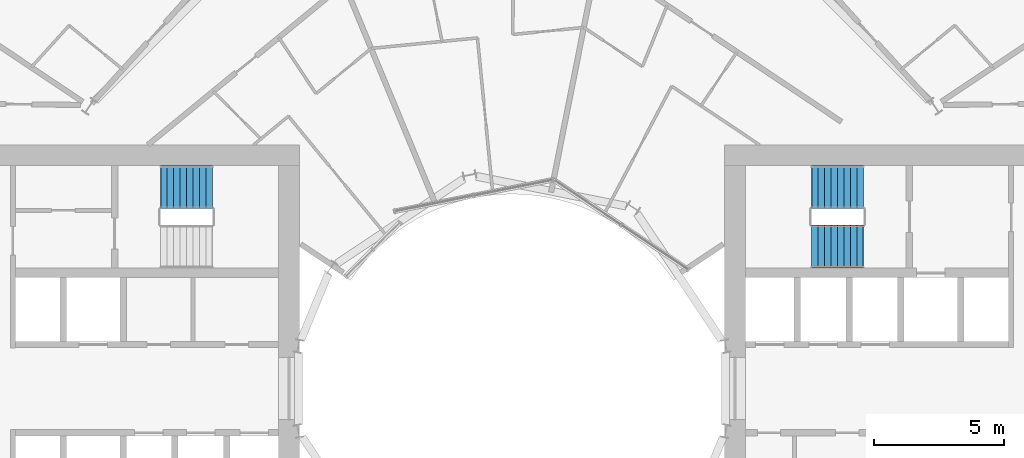
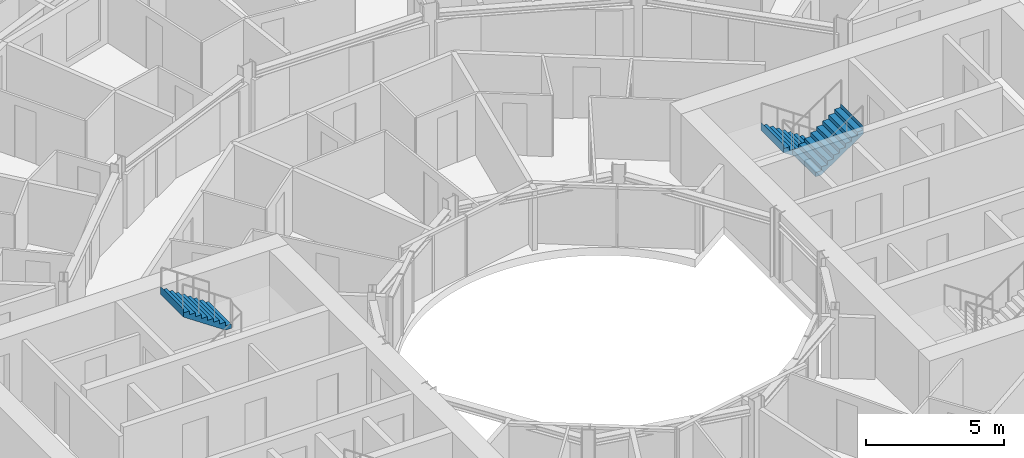
# One storey, part 25 of 26: 3 stair flights, 2 elements without a shape of their own.
"""IFC4 building model written with IfcOpenShell, lengths in metres."""

from ifc_helpers import new_model, si_unit, direction, frame, origin, place, context, subcontext, project, spatial, triangles, material, type_object, element, aggregate, save


model = new_model("IFC4")

# Units and contexts
model_context = context("Model", 3, precision=1e-05, world=origin(), true_north=direction((0.0, 1.0)))
body_context = subcontext(model_context, "Body", "Model", "MODEL_VIEW")
ifc_project = project(units=[si_unit("LENGTHUNIT", "METRE"), si_unit("AREAUNIT", "SQUARE_METRE"), si_unit("VOLUMEUNIT", "CUBIC_METRE"), si_unit("PLANEANGLEUNIT", "RADIAN"), si_unit("MASSUNIT", "GRAM", prefix="KILO")], contexts=[model_context])

# Site, building, storey
site_placement = place(None, origin())
site = spatial("IfcSite", under=ifc_project, at=site_placement, CompositionType="ELEMENT")
building_placement = place(site_placement, origin())
building = spatial("IfcBuilding", under=site, at=building_placement, Name="Maasbend Ring Residences", CompositionType="ELEMENT")
storey_placement = place(building_placement, frame((0.0, 0.0, 25.85009765625)))
storey = spatial("IfcBuildingStorey", under=building, at=storey_placement, Name="L06", CompositionType="ELEMENT", Elevation=25.85009765625)

# Stair, stair flights
ifc_material_1 = material(Name="Concrete C40/50", Category="concrete")
stair_type = type_object("IfcStairType", Name="CORE STAIR 18 RISERS", PredefinedType="HALF_TURN_STAIR", material=ifc_material_1)
stair_1_placement = place(storey_placement, origin())
stair_1 = element("IfcStair", 1, at=stair_1_placement, inside=storey, type_object=stair_type, Name="L06 Exit stair ST-E1", PredefinedType="HALF_TURN_STAIR")
ifc_material_2 = material(Name="Concrete C40/50", Category="concrete")
stair_flight_type = type_object("IfcStairFlightType", Name="CORE STAIR FLIGHT 1650", PredefinedType="STRAIGHT", material=ifc_material_2)
stair_flight_1_placement = place(storey_placement, frame((13.550048828125, 7.77490234375, 0.0), z_axis=(0.0, 0.0, 1.0), x_axis=(-1.0, 0.0, 0.0)))
stair_flight_1 = element("IfcStairFlight", 2, at=stair_flight_1_placement, type_object=stair_flight_type, Name="ST-E1 flight 1", NumberOfRisers=9, NumberOfTreads=8, PredefinedType="STRAIGHT", RiserHeight=0.169444444, TreadLength=0.25, context=body_context, shape_type="Tessellation", body=[
    triangles([(0.24072265625, 0.824951171875, -0.02001953125), (2.0029296875, 0.824951171875, 1.174560546875), (2.0029296875, 0.824951171875, 1.52490234375), (1.989990234375, 0.824951171875, 1.35546875), (1.75, 0.824951171875, 1.35546875), (1.75, 0.824951171875, 1.18603515625), (1.5, 0.824951171875, 1.18603515625), (1.5, 0.824951171875, 1.0166015625), (1.25, 0.824951171875, 1.0166015625), (1.25, 0.824951171875, 0.84716796875), (1.0, 0.824951171875, 0.84716796875), (1.0, 0.824951171875, 0.677734375), (0.75, 0.824951171875, 0.677734375), (0.75, 0.824951171875, 0.50830078125), (0.5, 0.824951171875, 0.50830078125), (0.5, 0.824951171875, 0.3388671875), (0.25, 0.824951171875, 0.3388671875), (0.25, 0.824951171875, 0.16943359375), (0.0, 0.824951171875, 0.16943359375), (0.0, 0.824951171875, 0.0), (-0.0029296875, 0.824951171875, 0.0), (-0.0029296875, 0.824951171875, -0.02001953125), (0.24072265625, 0.27490234375, -0.02001953125), (2.0029296875, 0.27490234375, 1.174560546875), (2.0029296875, 0.27490234375, 1.52490234375), (1.989990234375, 0.27490234375, 1.35546875), (1.75, 0.27490234375, 1.35546875), (1.75, 0.27490234375, 1.18603515625), (1.5, 0.27490234375, 1.18603515625), (1.5, 0.27490234375, 1.0166015625), (1.25, 0.27490234375, 1.0166015625), (1.25, 0.27490234375, 0.84716796875), (1.0, 0.27490234375, 0.84716796875), (1.0, 0.27490234375, 0.677734375), (0.75, 0.27490234375, 0.677734375), (0.75, 0.27490234375, 0.50830078125), (0.5, 0.27490234375, 0.50830078125), (0.5, 0.27490234375, 0.3388671875), (0.25, 0.27490234375, 0.3388671875), (0.25, 0.27490234375, 0.16943359375), (0.0, 0.27490234375, 0.16943359375), (0.0, 0.27490234375, 0.0), (-0.0029296875, 0.27490234375, 0.0), (-0.0029296875, 0.27490234375, -0.02001953125), (0.24072265625, -0.27490234375, -0.02001953125), (2.0029296875, -0.27490234375, 1.174560546875), (2.0029296875, -0.27490234375, 1.52490234375), (1.989990234375, -0.27490234375, 1.35546875), (1.75, -0.27490234375, 1.35546875), (1.75, -0.27490234375, 1.18603515625), (1.5, -0.27490234375, 1.18603515625), (1.5, -0.27490234375, 1.0166015625), (1.25, -0.27490234375, 1.0166015625), (1.25, -0.27490234375, 0.84716796875), (1.0, -0.27490234375, 0.84716796875), (1.0, -0.27490234375, 0.677734375), (0.75, -0.27490234375, 0.677734375), (0.75, -0.27490234375, 0.50830078125), (0.5, -0.27490234375, 0.50830078125), (0.5, -0.27490234375, 0.3388671875), (0.25, -0.27490234375, 0.3388671875), (0.25, -0.27490234375, 0.16943359375), (0.0, -0.27490234375, 0.16943359375), (0.0, -0.27490234375, 0.0), (-0.0029296875, -0.27490234375, 0.0), (-0.0029296875, -0.27490234375, -0.02001953125), (0.24072265625, -0.824951171875, -0.02001953125), (2.0029296875, -0.824951171875, 1.174560546875), (2.0029296875, -0.824951171875, 1.52490234375), (1.989990234375, -0.824951171875, 1.35546875), (1.75, -0.824951171875, 1.35546875), (1.75, -0.824951171875, 1.18603515625), (1.5, -0.824951171875, 1.18603515625), (1.5, -0.824951171875, 1.0166015625), (1.25, -0.824951171875, 1.0166015625), (1.25, -0.824951171875, 0.84716796875), (1.0, -0.824951171875, 0.84716796875), (1.0, -0.824951171875, 0.677734375), (0.75, -0.824951171875, 0.677734375), (0.75, -0.824951171875, 0.50830078125), (0.5, -0.824951171875, 0.50830078125), (0.5, -0.824951171875, 0.3388671875), (0.25, -0.824951171875, 0.3388671875), (0.25, -0.824951171875, 0.16943359375), (0.0, -0.824951171875, 0.16943359375), (0.0, -0.824951171875, 0.0), (-0.0029296875, -0.824951171875, 0.0), (-0.0029296875, -0.824951171875, -0.02001953125)], [[1, 2, 24], [1, 24, 23], [23, 24, 46], [23, 46, 45], [45, 46, 68], [45, 68, 67], [2, 3, 25], [2, 25, 24], [24, 25, 47], [24, 47, 46], [46, 47, 69], [46, 69, 68], [3, 4, 26], [3, 26, 25], [25, 26, 48], [25, 48, 47], [47, 48, 70], [47, 70, 69], [4, 5, 27], [4, 27, 26], [26, 27, 49], [26, 49, 48], [48, 49, 71], [48, 71, 70], [5, 6, 28], [5, 28, 27], [27, 28, 50], [27, 50, 49], [49, 50, 72], [49, 72, 71], [6, 7, 29], [6, 29, 28], [28, 29, 51], [28, 51, 50], [50, 51, 73], [50, 73, 72], [7, 8, 30], [7, 30, 29], [29, 30, 52], [29, 52, 51], [51, 52, 74], [51, 74, 73], [8, 9, 31], [8, 31, 30], [30, 31, 53], [30, 53, 52], [52, 53, 75], [52, 75, 74], [9, 10, 32], [9, 32, 31], [31, 32, 54], [31, 54, 53], [53, 54, 76], [53, 76, 75], [10, 11, 33], [10, 33, 32], [32, 33, 55], [32, 55, 54], [54, 55, 77], [54, 77, 76], [11, 12, 34], [11, 34, 33], [33, 34, 56], [33, 56, 55], [55, 56, 78], [55, 78, 77], [12, 13, 35], [12, 35, 34], [34, 35, 57], [34, 57, 56], [56, 57, 79], [56, 79, 78], [13, 14, 36], [13, 36, 35], [35, 36, 58], [35, 58, 57], [57, 58, 80], [57, 80, 79], [14, 15, 37], [14, 37, 36], [36, 37, 59], [36, 59, 58], [58, 59, 81], [58, 81, 80], [15, 16, 38], [15, 38, 37], [37, 38, 60], [37, 60, 59], [59, 60, 82], [59, 82, 81], [16, 17, 39], [16, 39, 38], [38, 39, 61], [38, 61, 60], [60, 61, 83], [60, 83, 82], [17, 18, 40], [17, 40, 39], [39, 40, 62], [39, 62, 61], [61, 62, 84], [61, 84, 83], [18, 19, 41], [18, 41, 40], [40, 41, 63], [40, 63, 62], [62, 63, 85], [62, 85, 84], [19, 20, 42], [19, 42, 41], [41, 42, 64], [41, 64, 63], [63, 64, 86], [63, 86, 85], [20, 21, 43], [20, 43, 42], [42, 43, 65], [42, 65, 64], [64, 65, 87], [64, 87, 86], [21, 22, 44], [21, 44, 43], [43, 44, 66], [43, 66, 65], [65, 66, 88], [65, 88, 87], [22, 1, 23], [22, 23, 44], [44, 23, 45], [44, 45, 66], [66, 45, 67], [66, 67, 88], [22, 2, 1], [2, 4, 3], [2, 5, 4], [2, 6, 5], [22, 6, 2], [6, 8, 7], [22, 8, 6], [8, 10, 9], [22, 10, 8], [10, 12, 11], [22, 12, 10], [12, 14, 13], [22, 14, 12], [14, 16, 15], [22, 16, 14], [16, 18, 17], [22, 18, 16], [18, 20, 19], [22, 20, 18], [20, 22, 21], [88, 67, 68], [68, 69, 70], [68, 70, 71], [68, 71, 72], [88, 68, 72], [72, 73, 74], [88, 72, 74], [74, 75, 76], [88, 74, 76], [76, 77, 78], [88, 76, 78], [78, 79, 80], [88, 78, 80], [80, 81, 82], [88, 80, 82], [82, 83, 84], [88, 82, 84], [84, 85, 86], [88, 84, 86], [86, 87, 88]], closed=True),
])
stair_flight_2_placement = place(storey_placement, frame((11.550048828125, 5.47509765625, 1.52490234375), z_axis=(0.0, 0.0, 1.0), x_axis=(1.0, 0.0, 0.0)))
stair_flight_2 = element("IfcStairFlight", 3, at=stair_flight_2_placement, type_object=stair_flight_type, Name="ST-E1 flight 2", NumberOfRisers=9, NumberOfTreads=8, PredefinedType="STRAIGHT", RiserHeight=0.169444444, TreadLength=0.25, context=body_context, shape_type="Tessellation", body=[
    triangles([(0.24072265625, 0.824951171875, -0.02001953125), (2.0029296875, 0.824951171875, 1.174560546875), (2.0029296875, 0.824951171875, 1.52490234375), (1.989990234375, 0.824951171875, 1.35546875), (1.75, 0.824951171875, 1.35546875), (1.75, 0.824951171875, 1.18603515625), (1.5, 0.824951171875, 1.18603515625), (1.5, 0.824951171875, 1.0166015625), (1.25, 0.824951171875, 1.0166015625), (1.25, 0.824951171875, 0.84716796875), (1.0, 0.824951171875, 0.84716796875), (1.0, 0.824951171875, 0.677734375), (0.75, 0.824951171875, 0.677734375), (0.75, 0.824951171875, 0.50830078125), (0.5, 0.824951171875, 0.50830078125), (0.5, 0.824951171875, 0.3388671875), (0.25, 0.824951171875, 0.3388671875), (0.25, 0.824951171875, 0.16943359375), (0.0, 0.824951171875, 0.16943359375), (0.0, 0.824951171875, 0.0), (-0.0029296875, 0.824951171875, 0.0), (-0.0029296875, 0.824951171875, -0.02001953125), (0.24072265625, 0.27490234375, -0.02001953125), (2.0029296875, 0.27490234375, 1.174560546875), (2.0029296875, 0.27490234375, 1.52490234375), (1.989990234375, 0.27490234375, 1.35546875), (1.75, 0.27490234375, 1.35546875), (1.75, 0.27490234375, 1.18603515625), (1.5, 0.27490234375, 1.18603515625), (1.5, 0.27490234375, 1.0166015625), (1.25, 0.27490234375, 1.0166015625), (1.25, 0.27490234375, 0.84716796875), (1.0, 0.27490234375, 0.84716796875), (1.0, 0.27490234375, 0.677734375), (0.75, 0.27490234375, 0.677734375), (0.75, 0.27490234375, 0.50830078125), (0.5, 0.27490234375, 0.50830078125), (0.5, 0.27490234375, 0.3388671875), (0.25, 0.27490234375, 0.3388671875), (0.25, 0.27490234375, 0.16943359375), (0.0, 0.27490234375, 0.16943359375), (0.0, 0.27490234375, 0.0), (-0.0029296875, 0.27490234375, 0.0), (-0.0029296875, 0.27490234375, -0.02001953125), (0.24072265625, -0.27490234375, -0.02001953125), (2.0029296875, -0.27490234375, 1.174560546875), (2.0029296875, -0.27490234375, 1.52490234375), (1.989990234375, -0.27490234375, 1.35546875), (1.75, -0.27490234375, 1.35546875), (1.75, -0.27490234375, 1.18603515625), (1.5, -0.27490234375, 1.18603515625), (1.5, -0.27490234375, 1.0166015625), (1.25, -0.27490234375, 1.0166015625), (1.25, -0.27490234375, 0.84716796875), (1.0, -0.27490234375, 0.84716796875), (1.0, -0.27490234375, 0.677734375), (0.75, -0.27490234375, 0.677734375), (0.75, -0.27490234375, 0.50830078125), (0.5, -0.27490234375, 0.50830078125), (0.5, -0.27490234375, 0.3388671875), (0.25, -0.27490234375, 0.3388671875), (0.25, -0.27490234375, 0.16943359375), (0.0, -0.27490234375, 0.16943359375), (0.0, -0.27490234375, 0.0), (-0.0029296875, -0.27490234375, 0.0), (-0.0029296875, -0.27490234375, -0.02001953125), (0.24072265625, -0.824951171875, -0.02001953125), (2.0029296875, -0.824951171875, 1.174560546875), (2.0029296875, -0.824951171875, 1.52490234375), (1.989990234375, -0.824951171875, 1.35546875), (1.75, -0.824951171875, 1.35546875), (1.75, -0.824951171875, 1.18603515625), (1.5, -0.824951171875, 1.18603515625), (1.5, -0.824951171875, 1.0166015625), (1.25, -0.824951171875, 1.0166015625), (1.25, -0.824951171875, 0.84716796875), (1.0, -0.824951171875, 0.84716796875), (1.0, -0.824951171875, 0.677734375), (0.75, -0.824951171875, 0.677734375), (0.75, -0.824951171875, 0.50830078125), (0.5, -0.824951171875, 0.50830078125), (0.5, -0.824951171875, 0.3388671875), (0.25, -0.824951171875, 0.3388671875), (0.25, -0.824951171875, 0.16943359375), (0.0, -0.824951171875, 0.16943359375), (0.0, -0.824951171875, 0.0), (-0.0029296875, -0.824951171875, 0.0), (-0.0029296875, -0.824951171875, -0.02001953125)], [[1, 2, 24], [1, 24, 23], [23, 24, 46], [23, 46, 45], [45, 46, 68], [45, 68, 67], [2, 3, 25], [2, 25, 24], [24, 25, 47], [24, 47, 46], [46, 47, 69], [46, 69, 68], [3, 4, 26], [3, 26, 25], [25, 26, 48], [25, 48, 47], [47, 48, 70], [47, 70, 69], [4, 5, 27], [4, 27, 26], [26, 27, 49], [26, 49, 48], [48, 49, 71], [48, 71, 70], [5, 6, 28], [5, 28, 27], [27, 28, 50], [27, 50, 49], [49, 50, 72], [49, 72, 71], [6, 7, 29], [6, 29, 28], [28, 29, 51], [28, 51, 50], [50, 51, 73], [50, 73, 72], [7, 8, 30], [7, 30, 29], [29, 30, 52], [29, 52, 51], [51, 52, 74], [51, 74, 73], [8, 9, 31], [8, 31, 30], [30, 31, 53], [30, 53, 52], [52, 53, 75], [52, 75, 74], [9, 10, 32], [9, 32, 31], [31, 32, 54], [31, 54, 53], [53, 54, 76], [53, 76, 75], [10, 11, 33], [10, 33, 32], [32, 33, 55], [32, 55, 54], [54, 55, 77], [54, 77, 76], [11, 12, 34], [11, 34, 33], [33, 34, 56], [33, 56, 55], [55, 56, 78], [55, 78, 77], [12, 13, 35], [12, 35, 34], [34, 35, 57], [34, 57, 56], [56, 57, 79], [56, 79, 78], [13, 14, 36], [13, 36, 35], [35, 36, 58], [35, 58, 57], [57, 58, 80], [57, 80, 79], [14, 15, 37], [14, 37, 36], [36, 37, 59], [36, 59, 58], [58, 59, 81], [58, 81, 80], [15, 16, 38], [15, 38, 37], [37, 38, 60], [37, 60, 59], [59, 60, 82], [59, 82, 81], [16, 17, 39], [16, 39, 38], [38, 39, 61], [38, 61, 60], [60, 61, 83], [60, 83, 82], [17, 18, 40], [17, 40, 39], [39, 40, 62], [39, 62, 61], [61, 62, 84], [61, 84, 83], [18, 19, 41], [18, 41, 40], [40, 41, 63], [40, 63, 62], [62, 63, 85], [62, 85, 84], [19, 20, 42], [19, 42, 41], [41, 42, 64], [41, 64, 63], [63, 64, 86], [63, 86, 85], [20, 21, 43], [20, 43, 42], [42, 43, 65], [42, 65, 64], [64, 65, 87], [64, 87, 86], [21, 22, 44], [21, 44, 43], [43, 44, 66], [43, 66, 65], [65, 66, 88], [65, 88, 87], [22, 1, 23], [22, 23, 44], [44, 23, 45], [44, 45, 66], [66, 45, 67], [66, 67, 88], [22, 2, 1], [2, 4, 3], [2, 5, 4], [2, 6, 5], [22, 6, 2], [6, 8, 7], [22, 8, 6], [8, 10, 9], [22, 10, 8], [10, 12, 11], [22, 12, 10], [12, 14, 13], [22, 14, 12], [14, 16, 15], [22, 16, 14], [16, 18, 17], [22, 18, 16], [18, 20, 19], [22, 20, 18], [20, 22, 21], [88, 67, 68], [68, 69, 70], [68, 70, 71], [68, 71, 72], [88, 68, 72], [72, 73, 74], [88, 72, 74], [74, 75, 76], [88, 74, 76], [76, 77, 78], [88, 76, 78], [78, 79, 80], [88, 78, 80], [80, 81, 82], [88, 80, 82], [82, 83, 84], [88, 82, 84], [84, 85, 86], [88, 84, 86], [86, 87, 88]], closed=True),
])
aggregate(stair_1, [stair_flight_1, stair_flight_2])

# Stair, stair flight
stair_2_placement = place(storey_placement, origin())
stair_2 = element("IfcStair", 4, at=stair_2_placement, inside=storey, type_object=stair_type, Name="L06 Exit stair ST-W2", PredefinedType="HALF_TURN_STAIR")
stair_flight_3_placement = place(storey_placement, frame((-11.550048828125, 7.77490234375, 1.52490234375), z_axis=(0.0, 0.0, 1.0), x_axis=(-1.0, 0.0, 0.0)))
stair_flight_3 = element("IfcStairFlight", 5, at=stair_flight_3_placement, type_object=stair_flight_type, Name="ST-W2 flight 2", NumberOfRisers=9, NumberOfTreads=8, PredefinedType="STRAIGHT", RiserHeight=0.169444444, TreadLength=0.25, context=body_context, shape_type="Tessellation", body=[
    triangles([(0.24072265625, 0.824951171875, -0.02001953125), (2.0029296875, 0.824951171875, 1.174560546875), (2.0029296875, 0.824951171875, 1.52490234375), (1.989990234375, 0.824951171875, 1.35546875), (1.75, 0.824951171875, 1.35546875), (1.75, 0.824951171875, 1.18603515625), (1.5, 0.824951171875, 1.18603515625), (1.5, 0.824951171875, 1.0166015625), (1.25, 0.824951171875, 1.0166015625), (1.25, 0.824951171875, 0.84716796875), (1.0, 0.824951171875, 0.84716796875), (1.0, 0.824951171875, 0.677734375), (0.75, 0.824951171875, 0.677734375), (0.75, 0.824951171875, 0.50830078125), (0.5, 0.824951171875, 0.50830078125), (0.5, 0.824951171875, 0.3388671875), (0.25, 0.824951171875, 0.3388671875), (0.25, 0.824951171875, 0.16943359375), (0.0, 0.824951171875, 0.16943359375), (0.0, 0.824951171875, 0.0), (-0.0029296875, 0.824951171875, 0.0), (-0.0029296875, 0.824951171875, -0.02001953125), (0.24072265625, 0.27490234375, -0.02001953125), (2.0029296875, 0.27490234375, 1.174560546875), (2.0029296875, 0.27490234375, 1.52490234375), (1.989990234375, 0.27490234375, 1.35546875), (1.75, 0.27490234375, 1.35546875), (1.75, 0.27490234375, 1.18603515625), (1.5, 0.27490234375, 1.18603515625), (1.5, 0.27490234375, 1.0166015625), (1.25, 0.27490234375, 1.0166015625), (1.25, 0.27490234375, 0.84716796875), (1.0, 0.27490234375, 0.84716796875), (1.0, 0.27490234375, 0.677734375), (0.75, 0.27490234375, 0.677734375), (0.75, 0.27490234375, 0.50830078125), (0.5, 0.27490234375, 0.50830078125), (0.5, 0.27490234375, 0.3388671875), (0.25, 0.27490234375, 0.3388671875), (0.25, 0.27490234375, 0.16943359375), (0.0, 0.27490234375, 0.16943359375), (0.0, 0.27490234375, 0.0), (-0.0029296875, 0.27490234375, 0.0), (-0.0029296875, 0.27490234375, -0.02001953125), (0.24072265625, -0.27490234375, -0.02001953125), (2.0029296875, -0.27490234375, 1.174560546875), (2.0029296875, -0.27490234375, 1.52490234375), (1.989990234375, -0.27490234375, 1.35546875), (1.75, -0.27490234375, 1.35546875), (1.75, -0.27490234375, 1.18603515625), (1.5, -0.27490234375, 1.18603515625), (1.5, -0.27490234375, 1.0166015625), (1.25, -0.27490234375, 1.0166015625), (1.25, -0.27490234375, 0.84716796875), (1.0, -0.27490234375, 0.84716796875), (1.0, -0.27490234375, 0.677734375), (0.75, -0.27490234375, 0.677734375), (0.75, -0.27490234375, 0.50830078125), (0.5, -0.27490234375, 0.50830078125), (0.5, -0.27490234375, 0.3388671875), (0.25, -0.27490234375, 0.3388671875), (0.25, -0.27490234375, 0.16943359375), (0.0, -0.27490234375, 0.16943359375), (0.0, -0.27490234375, 0.0), (-0.0029296875, -0.27490234375, 0.0), (-0.0029296875, -0.27490234375, -0.02001953125), (0.24072265625, -0.824951171875, -0.02001953125), (2.0029296875, -0.824951171875, 1.174560546875), (2.0029296875, -0.824951171875, 1.52490234375), (1.989990234375, -0.824951171875, 1.35546875), (1.75, -0.824951171875, 1.35546875), (1.75, -0.824951171875, 1.18603515625), (1.5, -0.824951171875, 1.18603515625), (1.5, -0.824951171875, 1.0166015625), (1.25, -0.824951171875, 1.0166015625), (1.25, -0.824951171875, 0.84716796875), (1.0, -0.824951171875, 0.84716796875), (1.0, -0.824951171875, 0.677734375), (0.75, -0.824951171875, 0.677734375), (0.75, -0.824951171875, 0.50830078125), (0.5, -0.824951171875, 0.50830078125), (0.5, -0.824951171875, 0.3388671875), (0.25, -0.824951171875, 0.3388671875), (0.25, -0.824951171875, 0.16943359375), (0.0, -0.824951171875, 0.16943359375), (0.0, -0.824951171875, 0.0), (-0.0029296875, -0.824951171875, 0.0), (-0.0029296875, -0.824951171875, -0.02001953125)], [[1, 2, 24], [1, 24, 23], [23, 24, 46], [23, 46, 45], [45, 46, 68], [45, 68, 67], [2, 3, 25], [2, 25, 24], [24, 25, 47], [24, 47, 46], [46, 47, 69], [46, 69, 68], [3, 4, 26], [3, 26, 25], [25, 26, 48], [25, 48, 47], [47, 48, 70], [47, 70, 69], [4, 5, 27], [4, 27, 26], [26, 27, 49], [26, 49, 48], [48, 49, 71], [48, 71, 70], [5, 6, 28], [5, 28, 27], [27, 28, 50], [27, 50, 49], [49, 50, 72], [49, 72, 71], [6, 7, 29], [6, 29, 28], [28, 29, 51], [28, 51, 50], [50, 51, 73], [50, 73, 72], [7, 8, 30], [7, 30, 29], [29, 30, 52], [29, 52, 51], [51, 52, 74], [51, 74, 73], [8, 9, 31], [8, 31, 30], [30, 31, 53], [30, 53, 52], [52, 53, 75], [52, 75, 74], [9, 10, 32], [9, 32, 31], [31, 32, 54], [31, 54, 53], [53, 54, 76], [53, 76, 75], [10, 11, 33], [10, 33, 32], [32, 33, 55], [32, 55, 54], [54, 55, 77], [54, 77, 76], [11, 12, 34], [11, 34, 33], [33, 34, 56], [33, 56, 55], [55, 56, 78], [55, 78, 77], [12, 13, 35], [12, 35, 34], [34, 35, 57], [34, 57, 56], [56, 57, 79], [56, 79, 78], [13, 14, 36], [13, 36, 35], [35, 36, 58], [35, 58, 57], [57, 58, 80], [57, 80, 79], [14, 15, 37], [14, 37, 36], [36, 37, 59], [36, 59, 58], [58, 59, 81], [58, 81, 80], [15, 16, 38], [15, 38, 37], [37, 38, 60], [37, 60, 59], [59, 60, 82], [59, 82, 81], [16, 17, 39], [16, 39, 38], [38, 39, 61], [38, 61, 60], [60, 61, 83], [60, 83, 82], [17, 18, 40], [17, 40, 39], [39, 40, 62], [39, 62, 61], [61, 62, 84], [61, 84, 83], [18, 19, 41], [18, 41, 40], [40, 41, 63], [40, 63, 62], [62, 63, 85], [62, 85, 84], [19, 20, 42], [19, 42, 41], [41, 42, 64], [41, 64, 63], [63, 64, 86], [63, 86, 85], [20, 21, 43], [20, 43, 42], [42, 43, 65], [42, 65, 64], [64, 65, 87], [64, 87, 86], [21, 22, 44], [21, 44, 43], [43, 44, 66], [43, 66, 65], [65, 66, 88], [65, 88, 87], [22, 1, 23], [22, 23, 44], [44, 23, 45], [44, 45, 66], [66, 45, 67], [66, 67, 88], [22, 2, 1], [2, 4, 3], [2, 5, 4], [2, 6, 5], [22, 6, 2], [6, 8, 7], [22, 8, 6], [8, 10, 9], [22, 10, 8], [10, 12, 11], [22, 12, 10], [12, 14, 13], [22, 14, 12], [14, 16, 15], [22, 16, 14], [16, 18, 17], [22, 18, 16], [18, 20, 19], [22, 20, 18], [20, 22, 21], [88, 67, 68], [68, 69, 70], [68, 70, 71], [68, 71, 72], [88, 68, 72], [72, 73, 74], [88, 72, 74], [74, 75, 76], [88, 74, 76], [76, 77, 78], [88, 76, 78], [78, 79, 80], [88, 78, 80], [80, 81, 82], [88, 80, 82], [82, 83, 84], [88, 82, 84], [84, 85, 86], [88, 84, 86], [86, 87, 88]], closed=True),
])
aggregate(stair_2, [stair_flight_3])

save(model, "model.ifc")
